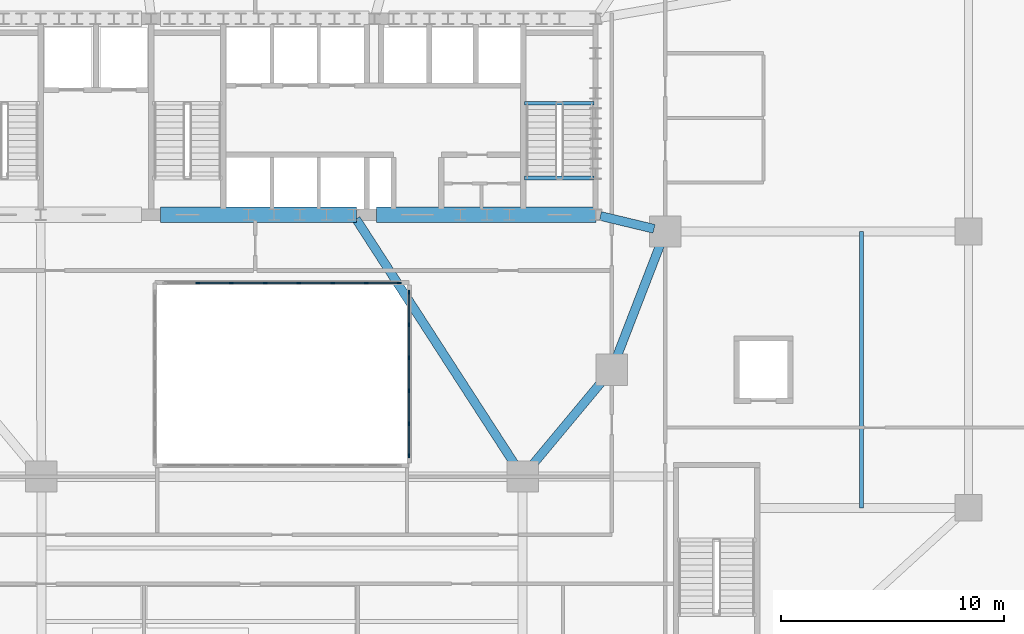
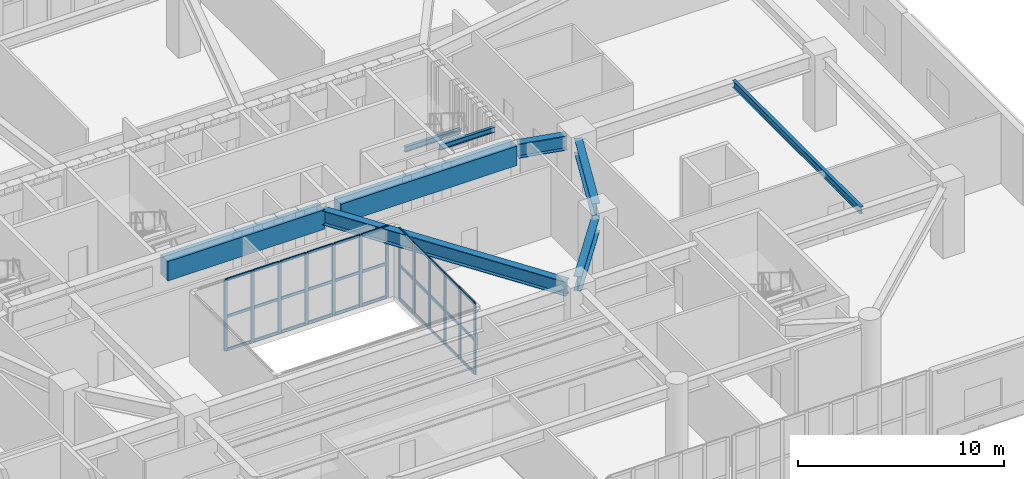
# One storey, part 7 of 25: 46 members, 9 beams, 2 elements without a shape of their own.
"""IFC4 building model written with IfcOpenShell, lengths in metres."""

from ifc_helpers import new_model, si_unit, direction, frame, origin, origin_2d, place, context, subcontext, project, spatial, rectangle, i_section, extrude, material, material_profile, profile_set, type_object, element, aggregate, save


model = new_model("IFC4")

# Units and contexts
model_context = context("Model", 3, precision=1e-05, world=origin(), true_north=direction((0.0, 1.0)))
body_context = subcontext(model_context, "Body", "Model", "MODEL_VIEW")
ifc_project = project(units=[si_unit("LENGTHUNIT", "METRE"), si_unit("AREAUNIT", "SQUARE_METRE"), si_unit("VOLUMEUNIT", "CUBIC_METRE"), si_unit("PLANEANGLEUNIT", "RADIAN"), si_unit("MASSUNIT", "GRAM", prefix="KILO")], contexts=[model_context])

# Site, building, storey
site_placement = place(None, origin())
site = spatial("IfcSite", under=ifc_project, at=site_placement, CompositionType="ELEMENT")
building_placement = place(site_placement, origin())
building = spatial("IfcBuilding", under=site, at=building_placement, Name="Haldorwick Loom Tower", CompositionType="ELEMENT")
storey_placement = place(building_placement, frame((0.0, 0.0, 15.0)))
storey = spatial("IfcBuildingStorey", under=building, at=storey_placement, Name="L03", CompositionType="ELEMENT", Elevation=15.0)

# Curtain wall, members
ifc_material_1 = material(Name="Thermally Broken Anodized Aluminium Curtain Wall Framing", Category="aluminium")
curtain_wall_type = type_object("IfcCurtainWallType", Name="ARC-CW-03", PredefinedType="NOTDEFINED", material=ifc_material_1)
curtain_wall_1_placement = place(storey_placement, origin())
curtain_wall_1 = element("IfcCurtainWall", 1, at=curtain_wall_1_placement, inside=storey, type_object=curtain_wall_type, Name="L03 Atrium Glazed Screen N", PredefinedType="NOTDEFINED")
ifc_material_profile_1 = material_profile(ifc_material_1, rectangle(XDim=0.06591796875, YDim=0.18505859375, at=origin_2d()), Name="ALU_MUL_66X185", Category="aluminium")
ifc_profile_set_1 = profile_set([ifc_material_profile_1], Name="Thermally Broken Anodized Aluminium Curtain Wall Framing")
member_type_1 = type_object("IfcMemberType", Name="ARC-CWM-03", PredefinedType="MULLION", material=ifc_profile_set_1)
member_1_placement = place(storey_placement, frame((32.21435546875, 23.699951171875, 0.0), z_axis=(0.0, 0.0, 1.0), x_axis=(0.0, 1.0, 0.0)))
member_1 = element("IfcMember", 2, at=member_1_placement, type_object=member_type_1, Name="CW-03 mullion 2", PredefinedType="MULLION", context=body_context, shape_type="SweptSolid", body=[
    extrude(rectangle(XDim=0.06591796875, YDim=0.18505859375, at=origin_2d()), origin(), (0.0, 0.0, 1.0), 4.199951171875),
])
member_2_placement = place(storey_placement, frame((33.728515625, 23.699951171875, 0.0), z_axis=(0.0, 0.0, 1.0), x_axis=(0.0, 1.0, 0.0)))
member_2 = element("IfcMember", 3, at=member_2_placement, type_object=member_type_1, Name="CW-03 mullion 3", PredefinedType="MULLION", context=body_context, shape_type="SweptSolid", body=[
    extrude(rectangle(XDim=0.06591796875, YDim=0.18505859375, at=origin_2d()), origin(), (0.0, 0.0, 1.0), 4.199951171875),
])
member_3_placement = place(storey_placement, frame((35.242919921875, 23.699951171875, 0.0), z_axis=(0.0, 0.0, 1.0), x_axis=(0.0, 1.0, 0.0)))
member_3 = element("IfcMember", 4, at=member_3_placement, type_object=member_type_1, Name="CW-03 mullion 4", PredefinedType="MULLION", context=body_context, shape_type="SweptSolid", body=[
    extrude(rectangle(XDim=0.06591796875, YDim=0.18505859375, at=origin_2d()), origin(), (0.0, 0.0, 1.0), 4.199951171875),
])
member_4_placement = place(storey_placement, frame((36.757080078125, 23.699951171875, 0.0), z_axis=(0.0, 0.0, 1.0), x_axis=(0.0, 1.0, 0.0)))
member_4 = element("IfcMember", 5, at=member_4_placement, type_object=member_type_1, Name="CW-03 mullion 5", PredefinedType="MULLION", context=body_context, shape_type="SweptSolid", body=[
    extrude(rectangle(XDim=0.06591796875, YDim=0.18505859375, at=origin_2d()), origin(), (0.0, 0.0, 1.0), 4.199951171875),
])
member_5_placement = place(storey_placement, frame((38.271484375, 23.699951171875, 0.0), z_axis=(0.0, 0.0, 1.0), x_axis=(0.0, 1.0, 0.0)))
member_5 = element("IfcMember", 6, at=member_5_placement, type_object=member_type_1, Name="CW-03 mullion 6", PredefinedType="MULLION", context=body_context, shape_type="SweptSolid", body=[
    extrude(rectangle(XDim=0.06591796875, YDim=0.18505859375, at=origin_2d()), origin(), (0.0, 0.0, 1.0), 4.199951171875),
])
member_6_placement = place(storey_placement, frame((39.78564453125, 23.699951171875, 0.0), z_axis=(0.0, 0.0, 1.0), x_axis=(0.0, 1.0, 0.0)))
member_6 = element("IfcMember", 7, at=member_6_placement, type_object=member_type_1, Name="CW-03 mullion 7", PredefinedType="MULLION", context=body_context, shape_type="SweptSolid", body=[
    extrude(rectangle(XDim=0.06591796875, YDim=0.18505859375, at=origin_2d()), origin(), (0.0, 0.0, 1.0), 4.199951171875),
])
member_7_placement = place(storey_placement, frame((41.26708984375, 23.699951171875, 0.0), z_axis=(0.0, 0.0, 1.0), x_axis=(0.0, 1.0, 0.0)))
member_7 = element("IfcMember", 8, at=member_7_placement, type_object=member_type_1, Name="CW-03 mullion 8", PredefinedType="MULLION", context=body_context, shape_type="SweptSolid", body=[
    extrude(rectangle(XDim=0.06591796875, YDim=0.18505859375, at=origin_2d()), origin(), (0.0, 0.0, 1.0), 4.199951171875),
])

curtain_wall_2_placement = place(storey_placement, origin())
curtain_wall_2 = element("IfcCurtainWall", 9, at=curtain_wall_2_placement, inside=storey, type_object=curtain_wall_type, Name="L03 Atrium Glazed Screen E", PredefinedType="NOTDEFINED")
member_8_placement = place(storey_placement, frame((41.699951171875, 23.26708984375, 0.0), z_axis=(0.0, 0.0, 1.0), x_axis=(1.0, 0.0, 0.0)))
member_8 = element("IfcMember", 10, at=member_8_placement, type_object=member_type_1, Name="CW-03 mullion 1", PredefinedType="MULLION", context=body_context, shape_type="SweptSolid", body=[
    extrude(rectangle(XDim=0.06591796875, YDim=0.18505859375, at=origin_2d()), origin(), (0.0, 0.0, 1.0), 4.199951171875),
])
member_9_placement = place(storey_placement, frame((41.699951171875, 21.820068359375, 0.0), z_axis=(0.0, 0.0, 1.0), x_axis=(1.0, 0.0, 0.0)))
member_9 = element("IfcMember", 11, at=member_9_placement, type_object=member_type_1, Name="CW-03 mullion 2", PredefinedType="MULLION", context=body_context, shape_type="SweptSolid", body=[
    extrude(rectangle(XDim=0.06591796875, YDim=0.18505859375, at=origin_2d()), origin(), (0.0, 0.0, 1.0), 4.199951171875),
])
member_10_placement = place(storey_placement, frame((41.699951171875, 20.340087890625, 0.0), z_axis=(0.0, 0.0, 1.0), x_axis=(1.0, 0.0, 0.0)))
member_10 = element("IfcMember", 12, at=member_10_placement, type_object=member_type_1, Name="CW-03 mullion 3", PredefinedType="MULLION", context=body_context, shape_type="SweptSolid", body=[
    extrude(rectangle(XDim=0.06591796875, YDim=0.18505859375, at=origin_2d()), origin(), (0.0, 0.0, 1.0), 4.199951171875),
])
member_11_placement = place(storey_placement, frame((41.699951171875, 18.860107421875, 0.0), z_axis=(0.0, 0.0, 1.0), x_axis=(1.0, 0.0, 0.0)))
member_11 = element("IfcMember", 13, at=member_11_placement, type_object=member_type_1, Name="CW-03 mullion 4", PredefinedType="MULLION", context=body_context, shape_type="SweptSolid", body=[
    extrude(rectangle(XDim=0.06591796875, YDim=0.18505859375, at=origin_2d()), origin(), (0.0, 0.0, 1.0), 4.199951171875),
])
member_12_placement = place(storey_placement, frame((41.699951171875, 17.3798828125, 0.0), z_axis=(0.0, 0.0, 1.0), x_axis=(1.0, 0.0, 0.0)))
member_12 = element("IfcMember", 14, at=member_12_placement, type_object=member_type_1, Name="CW-03 mullion 5", PredefinedType="MULLION", context=body_context, shape_type="SweptSolid", body=[
    extrude(rectangle(XDim=0.06591796875, YDim=0.18505859375, at=origin_2d()), origin(), (0.0, 0.0, 1.0), 4.199951171875),
])
member_13_placement = place(storey_placement, frame((41.699951171875, 15.93310546875, 0.0), z_axis=(0.0, 0.0, 1.0), x_axis=(1.0, 0.0, 0.0)))
member_13 = element("IfcMember", 15, at=member_13_placement, type_object=member_type_1, Name="CW-03 mullion 6", PredefinedType="MULLION", context=body_context, shape_type="SweptSolid", body=[
    extrude(rectangle(XDim=0.06591796875, YDim=0.18505859375, at=origin_2d()), origin(), (0.0, 0.0, 1.0), 4.199951171875),
])

# Member
ifc_material_profile_2 = material_profile(ifc_material_1, rectangle(XDim=0.06591796875, YDim=0.1650390625, at=origin_2d()), Name="ALU_TRN_66X165", Category="aluminium")
ifc_profile_set_2 = profile_set([ifc_material_profile_2], Name="Thermally Broken Anodized Aluminium Curtain Wall Framing")
member_type_2 = type_object("IfcMemberType", Name="ARC-CWT-03", PredefinedType="USERDEFINED", material=ifc_profile_set_2)
member_14_placement = place(storey_placement, frame((32.247314453125, 23.699951171875, 0.032958984375), z_axis=(1.0, 0.0, 0.0), x_axis=(0.0, 1.0, 0.0)))
member_14 = element("IfcMember", 16, at=member_14_placement, type_object=member_type_2, Name="CW-03 transom 2.1", ObjectType="TRANSOM", PredefinedType="USERDEFINED", context=body_context, shape_type="SweptSolid", body=[
    extrude(rectangle(XDim=0.06591796875, YDim=0.1650390625, at=origin_2d()), origin(), (0.0, 0.0, 1.0), 1.4482421875),
])

member_15_placement = place(storey_placement, frame((32.247314453125, 23.699951171875, 2.0), z_axis=(1.0, 0.0, 0.0), x_axis=(0.0, 1.0, 0.0)))
member_15 = element("IfcMember", 17, at=member_15_placement, type_object=member_type_2, Name="CW-03 transom 2.2", ObjectType="TRANSOM", PredefinedType="USERDEFINED", context=body_context, shape_type="SweptSolid", body=[
    extrude(rectangle(XDim=0.06591796875, YDim=0.1650390625, at=origin_2d()), origin(), (0.0, 0.0, 1.0), 1.4482421875),
])

member_16_placement = place(storey_placement, frame((32.247314453125, 23.699951171875, 4.1669921875), z_axis=(1.0, 0.0, 0.0), x_axis=(0.0, 1.0, 0.0)))
member_16 = element("IfcMember", 18, at=member_16_placement, type_object=member_type_2, Name="CW-03 transom 2.3", ObjectType="TRANSOM", PredefinedType="USERDEFINED", context=body_context, shape_type="SweptSolid", body=[
    extrude(rectangle(XDim=0.06591796875, YDim=0.1650390625, at=origin_2d()), origin(), (0.0, 0.0, 1.0), 1.4482421875),
])

member_17_placement = place(storey_placement, frame((33.761474609375, 23.699951171875, 0.032958984375), z_axis=(1.0, 0.0, 0.0), x_axis=(0.0, 1.0, 0.0)))
member_17 = element("IfcMember", 19, at=member_17_placement, type_object=member_type_2, Name="CW-03 transom 3.1", ObjectType="TRANSOM", PredefinedType="USERDEFINED", context=body_context, shape_type="SweptSolid", body=[
    extrude(rectangle(XDim=0.06591796875, YDim=0.1650390625, at=origin_2d()), origin(), (0.0, 0.0, 1.0), 1.448486328125),
])

member_18_placement = place(storey_placement, frame((33.761474609375, 23.699951171875, 2.0), z_axis=(1.0, 0.0, 0.0), x_axis=(0.0, 1.0, 0.0)))
member_18 = element("IfcMember", 20, at=member_18_placement, type_object=member_type_2, Name="CW-03 transom 3.2", ObjectType="TRANSOM", PredefinedType="USERDEFINED", context=body_context, shape_type="SweptSolid", body=[
    extrude(rectangle(XDim=0.06591796875, YDim=0.1650390625, at=origin_2d()), origin(), (0.0, 0.0, 1.0), 1.448486328125),
])

member_19_placement = place(storey_placement, frame((33.761474609375, 23.699951171875, 4.1669921875), z_axis=(1.0, 0.0, 0.0), x_axis=(0.0, 1.0, 0.0)))
member_19 = element("IfcMember", 21, at=member_19_placement, type_object=member_type_2, Name="CW-03 transom 3.3", ObjectType="TRANSOM", PredefinedType="USERDEFINED", context=body_context, shape_type="SweptSolid", body=[
    extrude(rectangle(XDim=0.06591796875, YDim=0.1650390625, at=origin_2d()), origin(), (0.0, 0.0, 1.0), 1.448486328125),
])

member_20_placement = place(storey_placement, frame((35.27587890625, 23.699951171875, 0.032958984375), z_axis=(1.0, 0.0, 0.0), x_axis=(0.0, 1.0, 0.0)))
member_20 = element("IfcMember", 22, at=member_20_placement, type_object=member_type_2, Name="CW-03 transom 4.1", ObjectType="TRANSOM", PredefinedType="USERDEFINED", context=body_context, shape_type="SweptSolid", body=[
    extrude(rectangle(XDim=0.06591796875, YDim=0.1650390625, at=origin_2d()), origin(), (0.0, 0.0, 1.0), 1.4482421875),
])

member_21_placement = place(storey_placement, frame((35.27587890625, 23.699951171875, 2.0), z_axis=(1.0, 0.0, 0.0), x_axis=(0.0, 1.0, 0.0)))
member_21 = element("IfcMember", 23, at=member_21_placement, type_object=member_type_2, Name="CW-03 transom 4.2", ObjectType="TRANSOM", PredefinedType="USERDEFINED", context=body_context, shape_type="SweptSolid", body=[
    extrude(rectangle(XDim=0.06591796875, YDim=0.1650390625, at=origin_2d()), origin(), (0.0, 0.0, 1.0), 1.4482421875),
])

member_22_placement = place(storey_placement, frame((35.27587890625, 23.699951171875, 4.1669921875), z_axis=(1.0, 0.0, 0.0), x_axis=(0.0, 1.0, 0.0)))
member_22 = element("IfcMember", 24, at=member_22_placement, type_object=member_type_2, Name="CW-03 transom 4.3", ObjectType="TRANSOM", PredefinedType="USERDEFINED", context=body_context, shape_type="SweptSolid", body=[
    extrude(rectangle(XDim=0.06591796875, YDim=0.1650390625, at=origin_2d()), origin(), (0.0, 0.0, 1.0), 1.4482421875),
])

member_23_placement = place(storey_placement, frame((36.7900390625, 23.699951171875, 0.032958984375), z_axis=(1.0, 0.0, 0.0), x_axis=(0.0, 1.0, 0.0)))
member_23 = element("IfcMember", 25, at=member_23_placement, type_object=member_type_2, Name="CW-03 transom 5.1", ObjectType="TRANSOM", PredefinedType="USERDEFINED", context=body_context, shape_type="SweptSolid", body=[
    extrude(rectangle(XDim=0.06591796875, YDim=0.1650390625, at=origin_2d()), origin(), (0.0, 0.0, 1.0), 1.448486328125),
])

member_24_placement = place(storey_placement, frame((36.7900390625, 23.699951171875, 2.0), z_axis=(1.0, 0.0, 0.0), x_axis=(0.0, 1.0, 0.0)))
member_24 = element("IfcMember", 26, at=member_24_placement, type_object=member_type_2, Name="CW-03 transom 5.2", ObjectType="TRANSOM", PredefinedType="USERDEFINED", context=body_context, shape_type="SweptSolid", body=[
    extrude(rectangle(XDim=0.06591796875, YDim=0.1650390625, at=origin_2d()), origin(), (0.0, 0.0, 1.0), 1.448486328125),
])

member_25_placement = place(storey_placement, frame((36.7900390625, 23.699951171875, 4.1669921875), z_axis=(1.0, 0.0, 0.0), x_axis=(0.0, 1.0, 0.0)))
member_25 = element("IfcMember", 27, at=member_25_placement, type_object=member_type_2, Name="CW-03 transom 5.3", ObjectType="TRANSOM", PredefinedType="USERDEFINED", context=body_context, shape_type="SweptSolid", body=[
    extrude(rectangle(XDim=0.06591796875, YDim=0.1650390625, at=origin_2d()), origin(), (0.0, 0.0, 1.0), 1.448486328125),
])

member_26_placement = place(storey_placement, frame((38.304443359375, 23.699951171875, 0.032958984375), z_axis=(1.0, 0.0, 0.0), x_axis=(0.0, 1.0, 0.0)))
member_26 = element("IfcMember", 28, at=member_26_placement, type_object=member_type_2, Name="CW-03 transom 6.1", ObjectType="TRANSOM", PredefinedType="USERDEFINED", context=body_context, shape_type="SweptSolid", body=[
    extrude(rectangle(XDim=0.06591796875, YDim=0.1650390625, at=origin_2d()), origin(), (0.0, 0.0, 1.0), 1.4482421875),
])

member_27_placement = place(storey_placement, frame((38.304443359375, 23.699951171875, 2.0), z_axis=(1.0, 0.0, 0.0), x_axis=(0.0, 1.0, 0.0)))
member_27 = element("IfcMember", 29, at=member_27_placement, type_object=member_type_2, Name="CW-03 transom 6.2", ObjectType="TRANSOM", PredefinedType="USERDEFINED", context=body_context, shape_type="SweptSolid", body=[
    extrude(rectangle(XDim=0.06591796875, YDim=0.1650390625, at=origin_2d()), origin(), (0.0, 0.0, 1.0), 1.4482421875),
])

member_28_placement = place(storey_placement, frame((38.304443359375, 23.699951171875, 4.1669921875), z_axis=(1.0, 0.0, 0.0), x_axis=(0.0, 1.0, 0.0)))
member_28 = element("IfcMember", 30, at=member_28_placement, type_object=member_type_2, Name="CW-03 transom 6.3", ObjectType="TRANSOM", PredefinedType="USERDEFINED", context=body_context, shape_type="SweptSolid", body=[
    extrude(rectangle(XDim=0.06591796875, YDim=0.1650390625, at=origin_2d()), origin(), (0.0, 0.0, 1.0), 1.4482421875),
])

member_29_placement = place(storey_placement, frame((39.818603515625, 23.699951171875, 0.032958984375), z_axis=(1.0, 0.0, 0.0), x_axis=(0.0, 1.0, 0.0)))
member_29 = element("IfcMember", 31, at=member_29_placement, type_object=member_type_2, Name="CW-03 transom 7.1", ObjectType="TRANSOM", PredefinedType="USERDEFINED", context=body_context, shape_type="SweptSolid", body=[
    extrude(rectangle(XDim=0.06591796875, YDim=0.1650390625, at=origin_2d()), origin(), (0.0, 0.0, 1.0), 1.415283203125),
])

member_30_placement = place(storey_placement, frame((39.818603515625, 23.699951171875, 2.0), z_axis=(1.0, 0.0, 0.0), x_axis=(0.0, 1.0, 0.0)))
member_30 = element("IfcMember", 32, at=member_30_placement, type_object=member_type_2, Name="CW-03 transom 7.2", ObjectType="TRANSOM", PredefinedType="USERDEFINED", context=body_context, shape_type="SweptSolid", body=[
    extrude(rectangle(XDim=0.06591796875, YDim=0.1650390625, at=origin_2d()), origin(), (0.0, 0.0, 1.0), 1.415283203125),
])

member_31_placement = place(storey_placement, frame((39.818603515625, 23.699951171875, 4.1669921875), z_axis=(1.0, 0.0, 0.0), x_axis=(0.0, 1.0, 0.0)))
member_31 = element("IfcMember", 33, at=member_31_placement, type_object=member_type_2, Name="CW-03 transom 7.3", ObjectType="TRANSOM", PredefinedType="USERDEFINED", context=body_context, shape_type="SweptSolid", body=[
    extrude(rectangle(XDim=0.06591796875, YDim=0.1650390625, at=origin_2d()), origin(), (0.0, 0.0, 1.0), 1.415283203125),
])

aggregate(curtain_wall_1, [member_1, member_2, member_3, member_4, member_5, member_6, member_7, member_14, member_15, member_16, member_17, member_18, member_19, member_20, member_21, member_22, member_23, member_24, member_25, member_26, member_27, member_28, member_29, member_30, member_31])

member_32_placement = place(storey_placement, frame((41.699951171875, 23.23388671875, 0.032958984375), z_axis=(0.0, -1.0, 0.0), x_axis=(1.0, 0.0, 0.0)))
member_32 = element("IfcMember", 34, at=member_32_placement, type_object=member_type_2, Name="CW-03 transom 1.1", ObjectType="TRANSOM", PredefinedType="USERDEFINED", context=body_context, shape_type="SweptSolid", body=[
    extrude(rectangle(XDim=0.06591796875, YDim=0.1650390625, at=origin_2d()), origin(), (0.0, 0.0, 1.0), 1.380859375),
])

member_33_placement = place(storey_placement, frame((41.699951171875, 23.23388671875, 2.0), z_axis=(0.0, -1.0, 0.0), x_axis=(1.0, 0.0, 0.0)))
member_33 = element("IfcMember", 35, at=member_33_placement, type_object=member_type_2, Name="CW-03 transom 1.2", ObjectType="TRANSOM", PredefinedType="USERDEFINED", context=body_context, shape_type="SweptSolid", body=[
    extrude(rectangle(XDim=0.06591796875, YDim=0.1650390625, at=origin_2d()), origin(), (0.0, 0.0, 1.0), 1.380859375),
])

member_34_placement = place(storey_placement, frame((41.699951171875, 23.23388671875, 4.1669921875), z_axis=(0.0, -1.0, 0.0), x_axis=(1.0, 0.0, 0.0)))
member_34 = element("IfcMember", 36, at=member_34_placement, type_object=member_type_2, Name="CW-03 transom 1.3", ObjectType="TRANSOM", PredefinedType="USERDEFINED", context=body_context, shape_type="SweptSolid", body=[
    extrude(rectangle(XDim=0.06591796875, YDim=0.1650390625, at=origin_2d()), origin(), (0.0, 0.0, 1.0), 1.380859375),
])

member_35_placement = place(storey_placement, frame((41.699951171875, 21.787109375, 0.032958984375), z_axis=(0.0, -1.0, 0.0), x_axis=(1.0, 0.0, 0.0)))
member_35 = element("IfcMember", 37, at=member_35_placement, type_object=member_type_2, Name="CW-03 transom 2.1", ObjectType="TRANSOM", PredefinedType="USERDEFINED", context=body_context, shape_type="SweptSolid", body=[
    extrude(rectangle(XDim=0.06591796875, YDim=0.1650390625, at=origin_2d()), origin(), (0.0, 0.0, 1.0), 1.4140625),
])

member_36_placement = place(storey_placement, frame((41.699951171875, 21.787109375, 2.0), z_axis=(0.0, -1.0, 0.0), x_axis=(1.0, 0.0, 0.0)))
member_36 = element("IfcMember", 38, at=member_36_placement, type_object=member_type_2, Name="CW-03 transom 2.2", ObjectType="TRANSOM", PredefinedType="USERDEFINED", context=body_context, shape_type="SweptSolid", body=[
    extrude(rectangle(XDim=0.06591796875, YDim=0.1650390625, at=origin_2d()), origin(), (0.0, 0.0, 1.0), 1.4140625),
])

member_37_placement = place(storey_placement, frame((41.699951171875, 21.787109375, 4.1669921875), z_axis=(0.0, -1.0, 0.0), x_axis=(1.0, 0.0, 0.0)))
member_37 = element("IfcMember", 39, at=member_37_placement, type_object=member_type_2, Name="CW-03 transom 2.3", ObjectType="TRANSOM", PredefinedType="USERDEFINED", context=body_context, shape_type="SweptSolid", body=[
    extrude(rectangle(XDim=0.06591796875, YDim=0.1650390625, at=origin_2d()), origin(), (0.0, 0.0, 1.0), 1.4140625),
])

member_38_placement = place(storey_placement, frame((41.699951171875, 20.306884765625, 0.032958984375), z_axis=(0.0, -1.0, 0.0), x_axis=(1.0, 0.0, 0.0)))
member_38 = element("IfcMember", 40, at=member_38_placement, type_object=member_type_2, Name="CW-03 transom 3.1", ObjectType="TRANSOM", PredefinedType="USERDEFINED", context=body_context, shape_type="SweptSolid", body=[
    extrude(rectangle(XDim=0.06591796875, YDim=0.1650390625, at=origin_2d()), origin(), (0.0, 0.0, 1.0), 1.413818359375),
])

member_39_placement = place(storey_placement, frame((41.699951171875, 20.306884765625, 2.0), z_axis=(0.0, -1.0, 0.0), x_axis=(1.0, 0.0, 0.0)))
member_39 = element("IfcMember", 41, at=member_39_placement, type_object=member_type_2, Name="CW-03 transom 3.2", ObjectType="TRANSOM", PredefinedType="USERDEFINED", context=body_context, shape_type="SweptSolid", body=[
    extrude(rectangle(XDim=0.06591796875, YDim=0.1650390625, at=origin_2d()), origin(), (0.0, 0.0, 1.0), 1.413818359375),
])

member_40_placement = place(storey_placement, frame((41.699951171875, 20.306884765625, 4.1669921875), z_axis=(0.0, -1.0, 0.0), x_axis=(1.0, 0.0, 0.0)))
member_40 = element("IfcMember", 42, at=member_40_placement, type_object=member_type_2, Name="CW-03 transom 3.3", ObjectType="TRANSOM", PredefinedType="USERDEFINED", context=body_context, shape_type="SweptSolid", body=[
    extrude(rectangle(XDim=0.06591796875, YDim=0.1650390625, at=origin_2d()), origin(), (0.0, 0.0, 1.0), 1.413818359375),
])

member_41_placement = place(storey_placement, frame((41.699951171875, 18.826904296875, 0.032958984375), z_axis=(0.0, -1.0, 0.0), x_axis=(1.0, 0.0, 0.0)))
member_41 = element("IfcMember", 43, at=member_41_placement, type_object=member_type_2, Name="CW-03 transom 4.1", ObjectType="TRANSOM", PredefinedType="USERDEFINED", context=body_context, shape_type="SweptSolid", body=[
    extrude(rectangle(XDim=0.06591796875, YDim=0.1650390625, at=origin_2d()), origin(), (0.0, 0.0, 1.0), 1.413818359375),
])

member_42_placement = place(storey_placement, frame((41.699951171875, 18.826904296875, 2.0), z_axis=(0.0, -1.0, 0.0), x_axis=(1.0, 0.0, 0.0)))
member_42 = element("IfcMember", 44, at=member_42_placement, type_object=member_type_2, Name="CW-03 transom 4.2", ObjectType="TRANSOM", PredefinedType="USERDEFINED", context=body_context, shape_type="SweptSolid", body=[
    extrude(rectangle(XDim=0.06591796875, YDim=0.1650390625, at=origin_2d()), origin(), (0.0, 0.0, 1.0), 1.413818359375),
])

member_43_placement = place(storey_placement, frame((41.699951171875, 18.826904296875, 4.1669921875), z_axis=(0.0, -1.0, 0.0), x_axis=(1.0, 0.0, 0.0)))
member_43 = element("IfcMember", 45, at=member_43_placement, type_object=member_type_2, Name="CW-03 transom 4.3", ObjectType="TRANSOM", PredefinedType="USERDEFINED", context=body_context, shape_type="SweptSolid", body=[
    extrude(rectangle(XDim=0.06591796875, YDim=0.1650390625, at=origin_2d()), origin(), (0.0, 0.0, 1.0), 1.413818359375),
])

member_44_placement = place(storey_placement, frame((41.699951171875, 17.346923828125, 0.032958984375), z_axis=(0.0, -1.0, 0.0), x_axis=(1.0, 0.0, 0.0)))
member_44 = element("IfcMember", 46, at=member_44_placement, type_object=member_type_2, Name="CW-03 transom 5.1", ObjectType="TRANSOM", PredefinedType="USERDEFINED", context=body_context, shape_type="SweptSolid", body=[
    extrude(rectangle(XDim=0.06591796875, YDim=0.1650390625, at=origin_2d()), origin(), (0.0, 0.0, 1.0), 1.380859375),
])

member_45_placement = place(storey_placement, frame((41.699951171875, 17.346923828125, 2.0), z_axis=(0.0, -1.0, 0.0), x_axis=(1.0, 0.0, 0.0)))
member_45 = element("IfcMember", 47, at=member_45_placement, type_object=member_type_2, Name="CW-03 transom 5.2", ObjectType="TRANSOM", PredefinedType="USERDEFINED", context=body_context, shape_type="SweptSolid", body=[
    extrude(rectangle(XDim=0.06591796875, YDim=0.1650390625, at=origin_2d()), origin(), (0.0, 0.0, 1.0), 1.380859375),
])

member_46_placement = place(storey_placement, frame((41.699951171875, 17.346923828125, 4.1669921875), z_axis=(0.0, -1.0, 0.0), x_axis=(1.0, 0.0, 0.0)))
member_46 = element("IfcMember", 48, at=member_46_placement, type_object=member_type_2, Name="CW-03 transom 5.3", ObjectType="TRANSOM", PredefinedType="USERDEFINED", context=body_context, shape_type="SweptSolid", body=[
    extrude(rectangle(XDim=0.06591796875, YDim=0.1650390625, at=origin_2d()), origin(), (0.0, 0.0, 1.0), 1.380859375),
])

aggregate(curtain_wall_2, [member_8, member_9, member_10, member_11, member_12, member_13, member_32, member_33, member_34, member_35, member_36, member_37, member_38, member_39, member_40, member_41, member_42, member_43, member_44, member_45, member_46])

# Beams
ifc_material_2 = material(Name="Concrete C60 (60 MPa)", Category="concrete")
ifc_material_profile_3 = material_profile(ifc_material_2, rectangle(XDim=0.699951171875, YDim=1.14990234375, at=origin_2d()), Name="RC700X1150", Category="concrete")
ifc_profile_set_3 = profile_set([ifc_material_profile_3], Name="Concrete C60 (60 MPa)")
beam_type_1 = type_object("IfcBeamType", Name="STR-BM-CB1150", PredefinedType="LINTEL", material=ifc_profile_set_3)
beam_1_placement = place(storey_placement, frame((30.550048828125, 26.75, 3.625), z_axis=(1.0, 0.0, 0.0), x_axis=(0.0, 1.0, 0.0)))
element("IfcBeam", 49, at=beam_1_placement, inside=storey, type_object=beam_type_1, Name="L03 Core Coupling Beam CB-S2", PredefinedType="LINTEL", context=body_context, shape_type="SweptSolid", body=[
    extrude(rectangle(XDim=0.699951171875, YDim=1.14990234375, at=origin_2d()), origin(), (0.0, 0.0, 1.0), 8.800048828125),
])
beam_2_placement = place(storey_placement, frame((40.25, 26.75, 3.625), z_axis=(1.0, 0.0, 0.0), x_axis=(0.0, 1.0, 0.0)))
element("IfcBeam", 50, at=beam_2_placement, inside=storey, type_object=beam_type_1, Name="L03 Core Coupling Beam CB-S3", PredefinedType="LINTEL", context=body_context, shape_type="SweptSolid", body=[
    extrude(rectangle(XDim=0.699951171875, YDim=1.14990234375, at=origin_2d()), origin(), (0.0, 0.0, 1.0), 9.85009765625),
])
ifc_material_3 = material(Name="Steel CSA G40.21 350W", Category="steel")
ifc_material_profile_4 = material_profile(ifc_material_3, i_section(OverallWidth=0.179931640625, OverallDepth=0.4130859375, WebThickness=0.009765625, FlangeThickness=0.01611328125, at=origin_2d()), Name="W410X74", Category="steel")
ifc_profile_set_4 = profile_set([ifc_material_profile_4], Name="Steel CSA G40.21 350W")
beam_type_2 = type_object("IfcBeamType", Name="STR-BM-J410", PredefinedType="JOIST", material=ifc_profile_set_4)
beam_3_placement = place(storey_placement, frame((62.0, 13.60009765625, 3.993408203125), z_axis=(0.0, 1.0, 0.0), x_axis=(-1.0, 0.0, 0.0)))
element("IfcBeam", 51, at=beam_3_placement, inside=storey, type_object=beam_type_2, Name="L03 Podium Secondary Joist PJ-E1", PredefinedType="JOIST", context=body_context, shape_type="SweptSolid", body=[
    extrude(i_section(OverallWidth=0.179931640625, OverallDepth=0.4130859375, WebThickness=0.009765625, FlangeThickness=0.01611328125, at=origin_2d()), origin(), (0.0, 0.0, 1.0), 12.39990234375),
])
ifc_material_profile_5 = material_profile(ifc_material_3, i_section(OverallWidth=0.166015625, OverallDepth=0.31298828125, WebThickness=0.006591796875, FlangeThickness=0.01123046875, at=origin_2d()), Name="W310X45", Category="steel")
ifc_profile_set_5 = profile_set([ifc_material_profile_5], Name="Steel CSA G40.21 350W")
beam_type_3 = type_object("IfcBeamType", Name="STR-BM-STRM", PredefinedType="BEAM", material=ifc_profile_set_5)
for number, where, z_axis, x_axis, name in (
    (52, (46.889892578125, 28.39990234375, 4.04345703125), (1.0, 0.0, 0.0), (0.0, 1.0, 0.0), "L03 Stair ST-02 Landing Edge Trimmer"),
    (53, (46.889892578125, 31.760009765625, 1.8935546875), (1.0, 0.0, 0.0), (0.0, 1.0, 0.0), "L03 Stair ST-02 Half-Landing Trimmer 1"),
):
    element("IfcBeam", number, at=place(storey_placement, frame(where, z_axis=z_axis, x_axis=x_axis)), inside=storey, type_object=beam_type_3, Name=name, PredefinedType="BEAM", context=body_context, shape_type="SweptSolid", body=[
        extrude(i_section(OverallWidth=0.166015625, OverallDepth=0.31298828125, WebThickness=0.006591796875, FlangeThickness=0.01123046875, at=origin_2d()), origin(), (0.0, 0.0, 1.0), 3.1201171875),
    ])
ifc_material_profile_6 = material_profile(ifc_material_3, i_section(OverallWidth=0.39990234375, OverallDepth=0.85498046875, WebThickness=0.018310546875, FlangeThickness=0.029296875, at=origin_2d()), Name="W840X299", Category="steel")
ifc_profile_set_6 = profile_set([ifc_material_profile_6], Name="Steel CSA G40.21 350W")
beam_type_4 = type_object("IfcBeamType", Name="STR-BM-W840", PredefinedType="BEAM", material=ifc_profile_set_6)
beam_4_placement = place(storey_placement, frame((50.288818359375, 26.697509765625, 3.7724609375), z_axis=(0.97247055837, -0.233025777764, 0.0), x_axis=(0.233025777764, 0.97247055837, 0.0)))
element("IfcBeam", 54, at=beam_4_placement, inside=storey, type_object=beam_type_4, Name="L03 Podium Inner Girder INE-1", PredefinedType="BEAM", context=body_context, shape_type="SweptSolid", body=[
    extrude(i_section(OverallWidth=0.39990234375, OverallDepth=0.85498046875, WebThickness=0.018310546875, FlangeThickness=0.029296875, at=origin_2d()), origin(), (0.0, 0.0, 1.0), 2.4736328125),
])
beam_5_placement = place(storey_placement, frame((53.01220703125, 25.51513671875, 3.7724609375), z_axis=(-0.360964792353, -0.93257944363, 0.0), x_axis=(0.93257944363, -0.360964792353, 0.0)))
element("IfcBeam", 55, at=beam_5_placement, inside=storey, type_object=beam_type_4, Name="L03 Podium Inner Girder INE-2", PredefinedType="BEAM", context=body_context, shape_type="SweptSolid", body=[
    extrude(i_section(OverallWidth=0.39990234375, OverallDepth=0.85498046875, WebThickness=0.018310546875, FlangeThickness=0.029296875, at=origin_2d()), origin(), (0.0, 0.0, 1.0), 5.6083984375),
])
beam_6_placement = place(storey_placement, frame((50.467041015625, 19.400390625, 3.7724609375), z_axis=(-0.640193621243, -0.768213594855, 0.0), x_axis=(0.768213594855, -0.640193621243, 0.0)))
element("IfcBeam", 56, at=beam_6_placement, inside=storey, type_object=beam_type_4, Name="L03 Podium Inner Girder INE-3", PredefinedType="BEAM", context=body_context, shape_type="SweptSolid", body=[
    extrude(i_section(OverallWidth=0.39990234375, OverallDepth=0.85498046875, WebThickness=0.018310546875, FlangeThickness=0.029296875, at=origin_2d()), origin(), (0.0, 0.0, 1.0), 5.208251953125),
])
beam_7_placement = place(storey_placement, frame((46.5556640625, 15.377685546875, 3.7724609375), z_axis=(-0.543098499406, 0.839668994273, 0.0), x_axis=(-0.839668994273, -0.543098499406, 0.0)))
element("IfcBeam", 57, at=beam_7_placement, inside=storey, type_object=beam_type_4, Name="L03 Podium Primary Girder PG-05", PredefinedType="BEAM", context=body_context, shape_type="SweptSolid", body=[
    extrude(i_section(OverallWidth=0.39990234375, OverallDepth=0.85498046875, WebThickness=0.018310546875, FlangeThickness=0.029296875, at=origin_2d()), origin(), (0.0, 0.0, 1.0), 13.31884765625),
])

save(model, "model.ifc")
